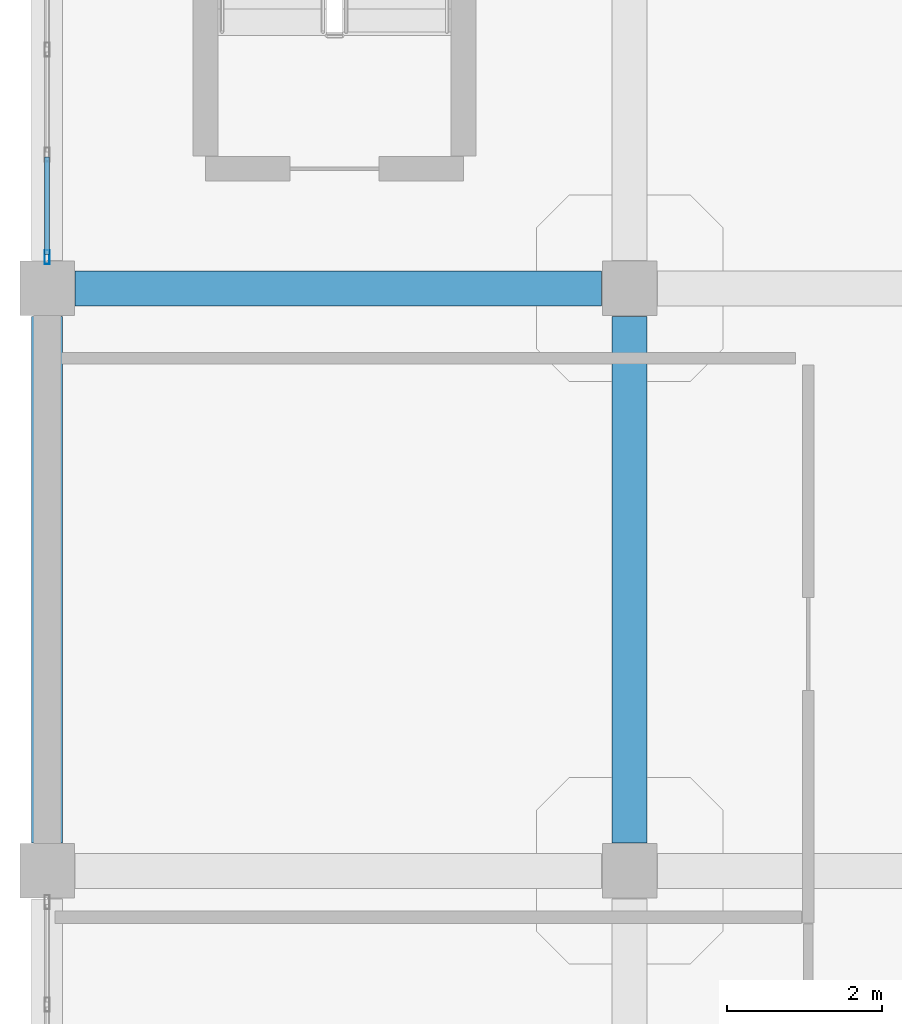
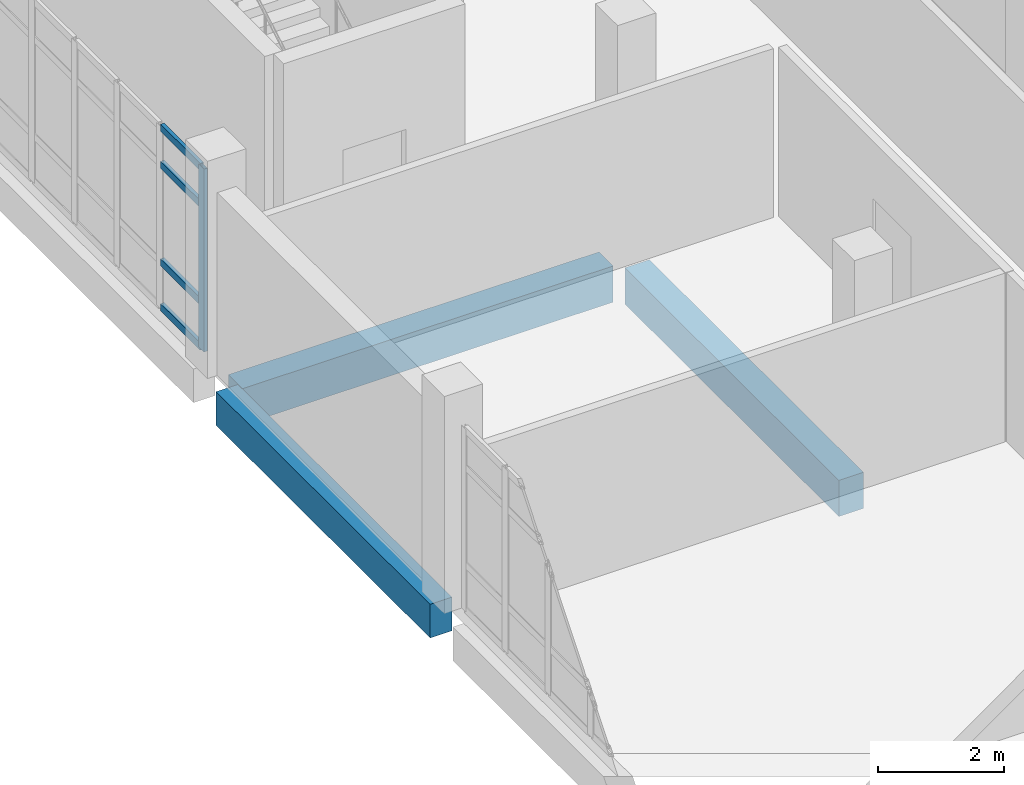
# One storey, part 22 of 164: 5 members, 3 beams, 1 element without a shape of its own.
"""IFC4 building model written with IfcOpenShell, lengths in metres."""

from ifc_helpers import new_model, si_unit, direction, frame, origin, origin_2d, place, context, subcontext, project, spatial, rectangle, hollow_rectangle, extrude, material, layer, layer_set, material_profile, profile_set, type_object, element, aggregate, save


model = new_model("IFC4")

# Units and contexts
model_context = context("Model", 3, precision=1e-05, world=origin(), true_north=direction((0.0, 1.0)))
body_context = subcontext(model_context, "Body", "Model", "MODEL_VIEW")
ifc_project = project(units=[si_unit("LENGTHUNIT", "METRE"), si_unit("AREAUNIT", "SQUARE_METRE"), si_unit("VOLUMEUNIT", "CUBIC_METRE"), si_unit("PLANEANGLEUNIT", "RADIAN"), si_unit("MASSUNIT", "GRAM", prefix="KILO")], contexts=[model_context])

# Site, building, storey
site_placement = place(None, origin())
site = spatial("IfcSite", under=ifc_project, at=site_placement, CompositionType="ELEMENT")
building_placement = place(site_placement, origin())
building = spatial("IfcBuilding", under=site, at=building_placement, Name="Mawjan Specialist Oncology Clinic", CompositionType="ELEMENT")
storey_placement = place(building_placement, frame((0.0, 0.0, 5.0)))
storey = spatial("IfcBuildingStorey", under=building, at=storey_placement, Name="L01", CompositionType="ELEMENT", Elevation=5.0)

# Beams
ifc_material_1 = material(Name="Concrete C40/50", Category="concrete")
ifc_material_profile_1 = material_profile(ifc_material_1, rectangle(XDim=0.449951171875, YDim=0.699951171875, at=origin_2d()), Name="RC BM 450x700", Category="concrete")
ifc_profile_set_1 = profile_set([ifc_material_profile_1], Name="Concrete C40/50")
beam_type_1 = type_object("IfcBeamType", Name="BM-450x700", PredefinedType="BEAM", material=ifc_profile_set_1)
beam_1_placement = place(storey_placement, frame((0.360107421875, 23.300048828125, -0.8701171875), z_axis=(1.0, 0.0, 0.0), x_axis=(0.0, 1.0, 0.0)))
element("IfcBeam", 1, at=beam_1_placement, inside=storey, type_object=beam_type_1, Name="L01 Collector Beam BM-L01-0242", PredefinedType="BEAM", context=body_context, shape_type="SweptSolid", body=[
    extrude(rectangle(XDim=0.449951171875, YDim=0.699951171875, at=origin_2d()), origin(), (0.0, 0.0, 1.0), 6.77978515625),
])
beam_2_placement = place(storey_placement, frame((7.5, 16.159912109375, -0.8701171875), z_axis=(0.0, 1.0, 0.0), x_axis=(-1.0, 0.0, 0.0)))
element("IfcBeam", 2, at=beam_2_placement, inside=storey, type_object=beam_type_1, Name="L01 Collector Beam BM-L01-0429", PredefinedType="BEAM", context=body_context, shape_type="SweptSolid", body=[
    extrude(rectangle(XDim=0.449951171875, YDim=0.699951171875, at=origin_2d()), origin(), (0.0, 0.0, 1.0), 6.780029296875),
])

# Curtain wall, members
ifc_material_2 = material(Name="Unitised spectrally selective aluminium curtain wall", Category="aluminium")
ifc_layer = layer(ifc_material_2, 0.179931640625, Name="Unitised spectrally selective aluminium curtain wall", Category="aluminium")
ifc_layer_set = layer_set([ifc_layer], Name="Unitised spectrally selective aluminium curtain wall")
curtain_wall_type = type_object("IfcCurtainWallType", Name="CW-73", PredefinedType="NOTDEFINED", material=ifc_layer_set)
curtain_wall_placement = place(storey_placement, origin())
curtain_wall = element("IfcCurtainWall", 3, at=curtain_wall_placement, inside=storey, type_object=curtain_wall_type, Name="L01 Unitised Curtain Wall CW-L01-146", PredefinedType="NOTDEFINED")
ifc_material_3 = material(Name="Thermally broken aluminium 6063-T6", Category="aluminium")
ifc_material_profile_2 = material_profile(ifc_material_3, hollow_rectangle(XDim=0.06494140625, YDim=0.179931640625, WallThickness=0.00390625, at=origin_2d()), Name="ALU MULLION 180x65x4", Category="aluminium")
ifc_profile_set_2 = profile_set([ifc_material_profile_2], Name="Thermally broken aluminium 6063-T6")
member_type_1 = type_object("IfcMemberType", Name="CW-M180", PredefinedType="MULLION", material=ifc_profile_set_2)
member_1_placement = place(storey_placement, frame((0.0, 23.702392578125, 0.0), z_axis=(0.0, 0.0, 1.0), x_axis=(-1.0, 0.0, 0.0)))
member_1 = element("IfcMember", 4, at=member_1_placement, type_object=member_type_1, Name="CW-73 mullion 1", PredefinedType="MULLION", context=body_context, shape_type="SweptSolid", body=[
    extrude(hollow_rectangle(XDim=0.06494140625, YDim=0.179931640625, WallThickness=0.00390625, at=origin_2d()), origin(), (0.0, 0.0, 1.0), 3.534912109375),
])
ifc_material_4 = material(Name="Thermally broken aluminium 6063-T6", Category="aluminium")
ifc_material_profile_3 = material_profile(ifc_material_4, hollow_rectangle(XDim=0.06494140625, YDim=0.139892578125, WallThickness=0.00390625, at=origin_2d()), Name="ALU TRANSOM 140x65x4", Category="aluminium")
ifc_profile_set_3 = profile_set([ifc_material_profile_3], Name="Thermally broken aluminium 6063-T6")
member_type_2 = type_object("IfcMemberType", Name="CW-T140", PredefinedType="USERDEFINED", material=ifc_profile_set_3)
member_2_placement = place(storey_placement, frame((0.0, 23.735107421875, 0.032470703125), z_axis=(0.0, 1.0, 0.0), x_axis=(-1.0, 0.0, 0.0)))
member_2 = element("IfcMember", 5, at=member_2_placement, type_object=member_type_2, Name="CW-73 transom 1.1", ObjectType="TRANSOM", PredefinedType="USERDEFINED", context=body_context, shape_type="SweptSolid", body=[
    extrude(hollow_rectangle(XDim=0.06494140625, YDim=0.139892578125, WallThickness=0.00390625, at=origin_2d()), origin(), (0.0, 0.0, 1.0), 1.25439453125),
])
member_3_placement = place(storey_placement, frame((0.0, 23.735107421875, 0.89990234375), z_axis=(0.0, 1.0, 0.0), x_axis=(-1.0, 0.0, 0.0)))
member_3 = element("IfcMember", 6, at=member_3_placement, type_object=member_type_2, Name="CW-73 transom 1.2", ObjectType="TRANSOM", PredefinedType="USERDEFINED", context=body_context, shape_type="SweptSolid", body=[
    extrude(hollow_rectangle(XDim=0.06494140625, YDim=0.139892578125, WallThickness=0.00390625, at=origin_2d()), origin(), (0.0, 0.0, 1.0), 1.25439453125),
])
member_4_placement = place(storey_placement, frame((0.0, 23.735107421875, 2.784912109375), z_axis=(0.0, 1.0, 0.0), x_axis=(-1.0, 0.0, 0.0)))
member_4 = element("IfcMember", 7, at=member_4_placement, type_object=member_type_2, Name="CW-73 transom 1.3", ObjectType="TRANSOM", PredefinedType="USERDEFINED", context=body_context, shape_type="SweptSolid", body=[
    extrude(hollow_rectangle(XDim=0.06494140625, YDim=0.139892578125, WallThickness=0.00390625, at=origin_2d()), origin(), (0.0, 0.0, 1.0), 1.25439453125),
])
member_5_placement = place(storey_placement, frame((0.0, 23.735107421875, 3.50244140625), z_axis=(0.0, 1.0, 0.0), x_axis=(-1.0, 0.0, 0.0)))
member_5 = element("IfcMember", 8, at=member_5_placement, type_object=member_type_2, Name="CW-73 transom 1.4", ObjectType="TRANSOM", PredefinedType="USERDEFINED", context=body_context, shape_type="SweptSolid", body=[
    extrude(hollow_rectangle(XDim=0.06494140625, YDim=0.139892578125, WallThickness=0.00390625, at=origin_2d()), origin(), (0.0, 0.0, 1.0), 1.25439453125),
])
aggregate(curtain_wall, [member_1, member_2, member_3, member_4, member_5])

# Beam
ifc_material_5 = material(Name="Concrete C45/55", Category="concrete")
ifc_material_profile_4 = material_profile(ifc_material_5, rectangle(XDim=0.39990234375, YDim=0.64990234375, at=origin_2d()), Name="RC BM 400x650", Category="concrete")
ifc_profile_set_4 = profile_set([ifc_material_profile_4], Name="Concrete C45/55")
beam_type_2 = type_object("IfcBeamType", Name="SP-400x650", PredefinedType="SPANDREL", material=ifc_profile_set_4)
beam_3_placement = place(storey_placement, frame((0.0, 16.159912109375, -0.625), z_axis=(0.0, 1.0, 0.0), x_axis=(-1.0, 0.0, 0.0)))
element("IfcBeam", 9, at=beam_3_placement, inside=storey, type_object=beam_type_2, Name="L01 Spandrel Beam BM-L01-0420", PredefinedType="SPANDREL", context=body_context, shape_type="SweptSolid", body=[
    extrude(rectangle(XDim=0.39990234375, YDim=0.64990234375, at=origin_2d()), origin(), (0.0, 0.0, 1.0), 6.780029296875),
])

save(model, "model.ifc")
